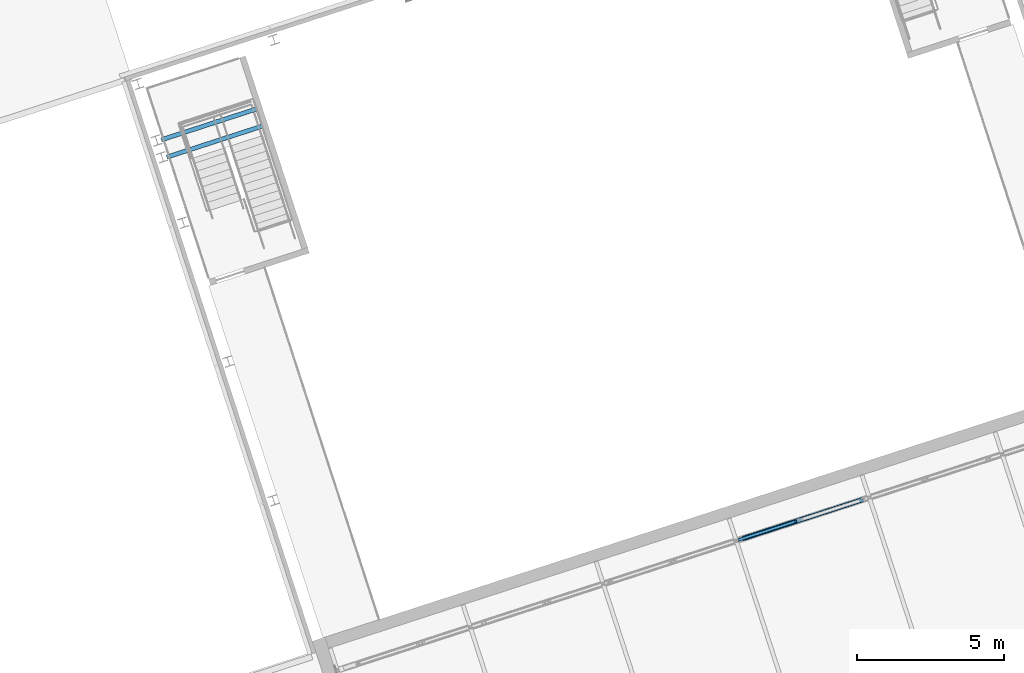
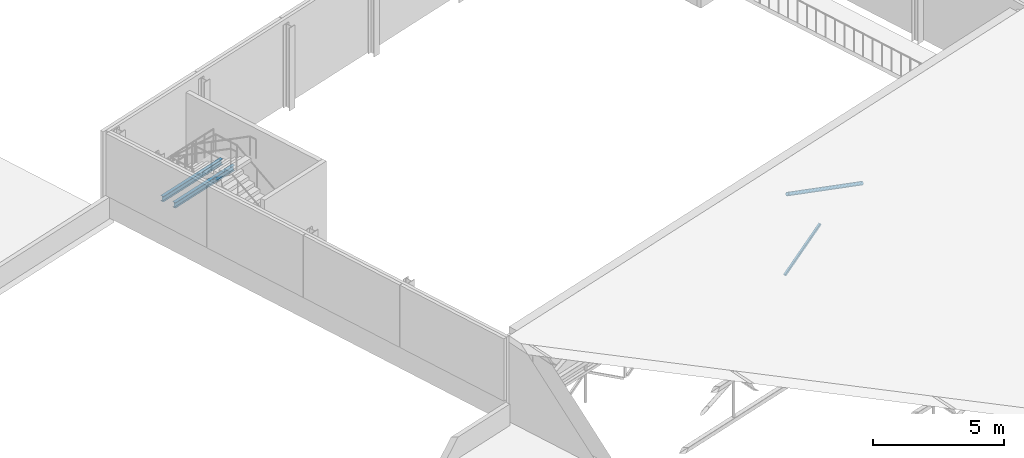
# One storey, part 17 of 55: 2 beams, 2 members.
"""IFC4 building model written with IfcOpenShell, lengths in metres."""

from ifc_helpers import new_model, si_unit, direction, frame, origin, origin_2d, place, context, subcontext, project, spatial, hollow_rectangle, hollow_circle, i_section, extrude, material, material_profile, profile_set, type_object, element, save


model = new_model("IFC4")

# Units and contexts
model_context = context("Model", 3, precision=1e-05, world=origin(), true_north=direction((0.0, 1.0)))
body_context = subcontext(model_context, "Body", "Model", "MODEL_VIEW")
ifc_project = project(units=[si_unit("LENGTHUNIT", "METRE"), si_unit("AREAUNIT", "SQUARE_METRE"), si_unit("VOLUMEUNIT", "CUBIC_METRE"), si_unit("PLANEANGLEUNIT", "RADIAN"), si_unit("MASSUNIT", "GRAM", prefix="KILO")], contexts=[model_context])

# Site, building, storey
site_placement = place(None, origin())
site = spatial("IfcSite", under=ifc_project, at=site_placement, CompositionType="ELEMENT")
building_placement = place(site_placement, origin())
building = spatial("IfcBuilding", under=site, at=building_placement, Name="Tuart Plaza Theatre", CompositionType="ELEMENT")
storey_placement = place(building_placement, frame((0.0, 0.0, 21.5)))
storey = spatial("IfcBuildingStorey", under=building, at=storey_placement, Name="L05", CompositionType="ELEMENT", Elevation=21.5)

# Beams
ifc_material_1 = material(Name="Steel Grade 300", Category="steel")
ifc_material_profile_1 = material_profile(ifc_material_1, i_section(OverallWidth=0.14599609375, OverallDepth=0.256103515625, WebThickness=0.00634765625, FlangeThickness=0.010986328125, FilletRadius=0.0087890625, at=origin_2d()), Name="250UB37.3")
ifc_profile_set_1 = profile_set([ifc_material_profile_1], Name="Steel Grade 300")
beam_type = type_object("IfcBeamType", Name="BEAM 250UB37.3", PredefinedType="BEAM", material=ifc_profile_set_1)
for number, where, z_axis, x_axis, name in (
    (1, (39.3662109375, 86.215576171875, 1.672119140625), (-0.951044110681, -0.309055172321, 0.0), (0.309055172321, -0.951044110681, 0.0), "SB39"),
    (2, (39.176025390625, 86.800537109375, 1.672119140625), (-0.951044110681, -0.309055172321, 0.0), (0.309055172321, -0.951044110681, 0.0), "SB40"),
):
    element("IfcBeam", number, at=place(storey_placement, frame(where, z_axis=z_axis, x_axis=x_axis)), inside=storey, type_object=beam_type, Name=name, PredefinedType="BEAM", context=body_context, shape_type="SweptSolid", body=[
        extrude(i_section(OverallWidth=0.14599609375, OverallDepth=0.256103515625, WebThickness=0.00634765625, FlangeThickness=0.010986328125, FilletRadius=0.0087890625, at=origin_2d()), origin(), (0.0, 0.0, 1.0), 3.39453125),
    ])

# Members
ifc_material_2 = material(Name="Steel Grade C350L0", Category="steel")
ifc_material_profile_2 = material_profile(ifc_material_2, hollow_rectangle(XDim=0.10009765625, YDim=0.10009765625, WallThickness=0.006103515625, InnerFilletRadius=0.006103515625, OuterFilletRadius=0.011962890625, at=origin_2d()), Name="100x100x6 SHS")
ifc_profile_set_2 = profile_set([ifc_material_profile_2], Name="Steel Grade C350L0")
member_type_1 = type_object("IfcMemberType", Name="MEMBER Brace 100x100x6 SHS", PredefinedType="BRACE", material=ifc_profile_set_2)
member_1_placement = place(storey_placement, frame((55.541748046875, 72.190185546875, -0.524169921875), z_axis=(0.7911105294, 0.257045682034, 0.555042023292), x_axis=(-0.309015134011, 0.951057120762, 0.0)))
element("IfcMember", 3, at=member_1_placement, inside=storey, type_object=member_type_1, Name="BR149", PredefinedType="BRACE", context=body_context, shape_type="SweptSolid", body=[
    extrude(hollow_rectangle(XDim=0.10009765625, YDim=0.10009765625, WallThickness=0.006103515625, InnerFilletRadius=0.006103515625, OuterFilletRadius=0.011962890625, at=origin_2d()), origin(), (0.0, 0.0, 1.0), 2.432373046875),
])
ifc_material_3 = material(Name="Steel Grade C350L0", Category="steel")
ifc_material_profile_3 = material_profile(ifc_material_3, hollow_circle(Radius=0.084228515625, WallThickness=0.00634765625, at=origin_2d()), Name="168.3x6.4 CHS")
ifc_profile_set_3 = profile_set([ifc_material_profile_3], Name="Steel Grade C350L0")
member_type_2 = type_object("IfcMemberType", Name="MEMBER Brace 168.3x6.4 CHS", PredefinedType="BRACE", material=ifc_profile_set_3)
member_2_placement = place(storey_placement, frame((55.684326171875, 72.236328125, 3.176025390625), z_axis=(0.882793512583, 0.28685714405, -0.372006173401), x_axis=(-0.309036623614, 0.951050138145, 0.0)))
element("IfcMember", 4, at=member_2_placement, inside=storey, type_object=member_type_2, Name="BR28", PredefinedType="BRACE", context=body_context, shape_type="SweptSolid", body=[
    extrude(hollow_circle(Radius=0.084228515625, WallThickness=0.00634765625, at=origin_2d()), origin(), (0.0, 0.0, 1.0), 4.5703125),
])

save(model, "model.ifc")
